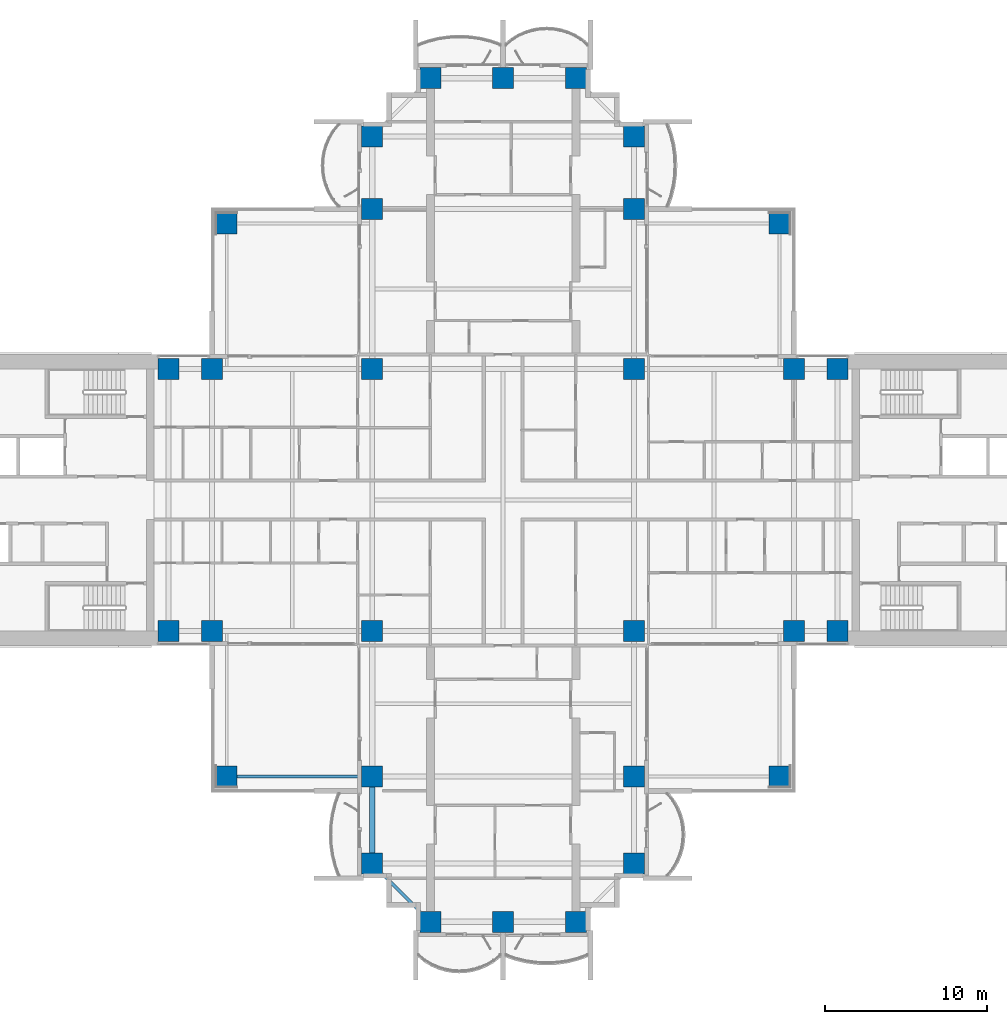
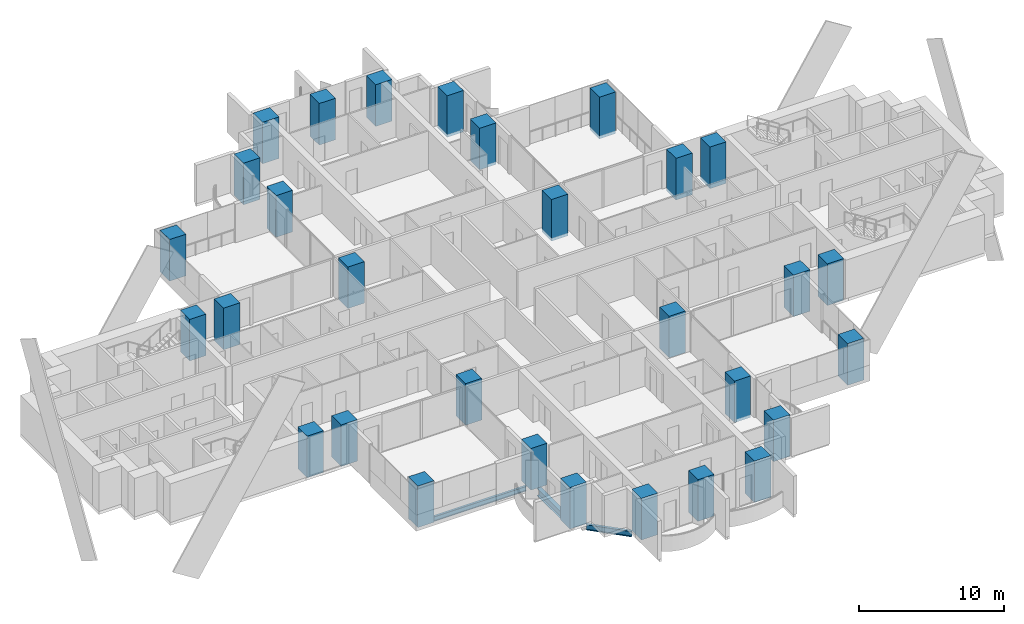
# One storey, part 1 of 21: 30 columns, 3 beams.
"""IFC4 building model written with IfcOpenShell, lengths in metres."""

from ifc_helpers import new_model, si_unit, direction, frame, origin, origin_2d, place, context, subcontext, project, spatial, rectangle, i_section, extrude, material, material_profile, profile_set, type_object, element, save


model = new_model("IFC4")

# Units and contexts
model_context = context("Model", 3, precision=1e-05, world=origin(), true_north=direction((0.0, 1.0)))
body_context = subcontext(model_context, "Body", "Model", "MODEL_VIEW")
ifc_project = project(units=[si_unit("LENGTHUNIT", "METRE"), si_unit("AREAUNIT", "SQUARE_METRE"), si_unit("VOLUMEUNIT", "CUBIC_METRE"), si_unit("PLANEANGLEUNIT", "RADIAN"), si_unit("MASSUNIT", "GRAM", prefix="KILO")], contexts=[model_context])

# Site, building, storey
site_placement = place(None, origin())
site = spatial("IfcSite", under=ifc_project, at=site_placement, CompositionType="ELEMENT")
building_placement = place(site_placement, origin())
building = spatial("IfcBuilding", under=site, at=building_placement, Name="Perihelion Cross Residences", CompositionType="ELEMENT")
storey_placement = place(building_placement, frame((0.0, 0.0, 75.0)))
storey = spatial("IfcBuildingStorey", under=building, at=storey_placement, Name="L16", CompositionType="ELEMENT", Elevation=75.0)

# Columns
ifc_material_1 = material(Name="Concrete C70/85", Category="concrete")
ifc_material_profile_1 = material_profile(ifc_material_1, rectangle(XDim=1.300048828125, YDim=1.300048828125, at=origin_2d()), Name="RC 1300x1300")
ifc_profile_set_1 = profile_set([ifc_material_profile_1], Name="Concrete C70/85")
column_type = type_object("IfcColumnType", Name="Reinforced concrete column 1300x1300 C70/85", PredefinedType="COLUMN", material=ifc_profile_set_1)
for number, where, z_axis, x_axis, name in (
    (1, (-20.699951171875, -8.10009765625, -0.25), (0.0, 0.0, 1.0), (1.0, 0.0, 0.0), "Column C017 L16 no. 1"),
    (2, (-20.699951171875, 8.10009765625, -0.25), (0.0, 0.0, 1.0), (1.0, 0.0, 0.0), "Column C010 L16 no. 1"),
    (3, (-18.0, -8.10009765625, -0.25), (0.0, 0.0, 1.0), (1.0, 0.0, 0.0), "Column C018 L16 no. 1"),
    (4, (-18.0, 8.10009765625, -0.25), (0.0, 0.0, 1.0), (1.0, 0.0, 0.0), "Column C011 L16 no. 1"),
    (5, (-8.10009765625, -22.5, -0.25), (0.0, 0.0, 1.0), (1.0, 0.0, 0.0), "Column C040 L16 no. 1"),
    (6, (-8.10009765625, -17.10009765625, -0.25), (0.0, 0.0, 1.0), (1.0, 0.0, 0.0), "Column C031 L16 no. 1"),
    (7, (-8.10009765625, -8.10009765625, -0.25), (0.0, 0.0, 1.0), (1.0, 0.0, 0.0), "Column C019 L16 no. 1"),
    (8, (-8.10009765625, 8.10009765625, -0.25), (0.0, 0.0, 1.0), (1.0, 0.0, 0.0), "Column C012 L16 no. 1"),
    (9, (-8.10009765625, 18.0, -0.25), (0.0, 0.0, 1.0), (1.0, 0.0, 0.0), "Column C006 L16 no. 1"),
    (10, (-8.10009765625, 22.5, -0.25), (0.0, 0.0, 1.0), (1.0, 0.0, 0.0), "Column C004 L16 no. 1"),
    (11, (-4.5, -26.10009765625, -0.25), (0.0, 0.0, 1.0), (1.0, 0.0, 0.0), "Column C042 L16 no. 1"),
    (12, (-4.5, 26.10009765625, -0.25), (0.0, 0.0, 1.0), (1.0, 0.0, 0.0), "Column C001 L16 no. 1"),
    (13, (0.0, -26.10009765625, -0.25), (0.0, 0.0, 1.0), (1.0, 0.0, 0.0), "Column C043 L16 no. 1"),
    (14, (0.0, 26.10009765625, -0.25), (0.0, 0.0, 1.0), (1.0, 0.0, 0.0), "Column C002 L16 no. 1"),
    (15, (4.5, -26.10009765625, -0.25), (0.0, 0.0, 1.0), (1.0, 0.0, 0.0), "Column C044 L16 no. 1"),
    (16, (4.5, 26.10009765625, -0.25), (0.0, 0.0, 1.0), (1.0, 0.0, 0.0), "Column C003 L16 no. 1"),
    (17, (8.10009765625, -22.5, -0.25), (0.0, 0.0, 1.0), (1.0, 0.0, 0.0), "Column C041 L16 no. 1"),
    (18, (8.10009765625, -17.10009765625, -0.25), (0.0, 0.0, 1.0), (1.0, 0.0, 0.0), "Column C035 L16 no. 1"),
    (19, (8.10009765625, -8.10009765625, -0.25), (0.0, 0.0, 1.0), (1.0, 0.0, 0.0), "Column C020 L16 no. 1"),
    (20, (8.10009765625, 8.10009765625, -0.25), (0.0, 0.0, 1.0), (1.0, 0.0, 0.0), "Column C014 L16 no. 1"),
    (21, (8.10009765625, 18.0, -0.25), (0.0, 0.0, 1.0), (1.0, 0.0, 0.0), "Column C007 L16 no. 1"),
    (22, (8.10009765625, 22.5, -0.25), (0.0, 0.0, 1.0), (1.0, 0.0, 0.0), "Column C005 L16 no. 1"),
    (23, (18.0, -8.10009765625, -0.25), (0.0, 0.0, 1.0), (1.0, 0.0, 0.0), "Column C021 L16 no. 1"),
    (24, (18.0, 8.10009765625, -0.25), (0.0, 0.0, 1.0), (1.0, 0.0, 0.0), "Column C015 L16 no. 1"),
    (25, (20.699951171875, -8.10009765625, -0.25), (0.0, 0.0, 1.0), (1.0, 0.0, 0.0), "Column C022 L16 no. 1"),
    (26, (20.699951171875, 8.10009765625, -0.25), (0.0, 0.0, 1.0), (1.0, 0.0, 0.0), "Column C016 L16 no. 1"),
    (27, (17.10009765625, 17.10009765625, -0.25), (0.0, 0.0, 1.0), (1.0, 0.0, 0.0), "Column C009 L16 no. 1"),
    (28, (-17.10009765625, 17.10009765625, -0.25), (0.0, 0.0, 1.0), (1.0, 0.0, 0.0), "Column C008 L16 no. 1"),
    (29, (-17.10009765625, -17.10009765625, -0.25), (0.0, 0.0, 1.0), (1.0, 0.0, 0.0), "Column C030 L16 no. 1"),
    (30, (17.10009765625, -17.10009765625, -0.25), (0.0, 0.0, 1.0), (1.0, 0.0, 0.0), "Column C036 L16 no. 1"),
):
    element("IfcColumn", number, at=place(storey_placement, frame(where, z_axis=z_axis, x_axis=x_axis)), inside=storey, type_object=column_type, Name=name, PredefinedType="COLUMN", context=body_context, shape_type="SweptSolid", body=[
        extrude(rectangle(XDim=1.300048828125, YDim=1.300048828125, at=origin_2d()), origin(), (0.0, 0.0, 1.0), 3.5),
    ])

# Beams
ifc_material_2 = material(Name="Steel S355", Category="steel")
ifc_material_profile_2 = material_profile(ifc_material_2, i_section(OverallWidth=0.177978515625, OverallDepth=0.406005859375, WebThickness=0.0078125, FlangeThickness=0.0126953125, at=origin_2d()), Name="W410x60")
ifc_profile_set_2 = profile_set([ifc_material_profile_2], Name="Steel S355")
beam_type_1 = type_object("IfcBeamType", Name="Core edge beam W410x60", PredefinedType="BEAM", material=ifc_profile_set_2)
beam_1_placement = place(storey_placement, frame((-8.75, -17.10009765625, -0.452880859375), z_axis=(-1.0, 0.0, 0.0), x_axis=(0.0, -1.0, 0.0)))
element("IfcBeam", 31, at=beam_1_placement, inside=storey, type_object=beam_type_1, Name="Core edge beam TB2 L16 corner no. 2", PredefinedType="BEAM", context=body_context, shape_type="SweptSolid", body=[
    extrude(i_section(OverallWidth=0.177978515625, OverallDepth=0.406005859375, WebThickness=0.0078125, FlangeThickness=0.0126953125, at=origin_2d()), origin(), (0.0, 0.0, 1.0), 7.699951171875),
])
ifc_material_3 = material(Name="Steel S355", Category="steel")
ifc_material_profile_3 = material_profile(ifc_material_3, i_section(OverallWidth=0.324951171875, OverallDepth=0.616943359375, WebThickness=0.013916015625, FlangeThickness=0.021484375, at=origin_2d()), Name="W610x174")
ifc_profile_set_3 = profile_set([ifc_material_profile_3], Name="Steel S355")
beam_type_2 = type_object("IfcBeamType", Name="Edge beam W610x174", PredefinedType="SPANDREL", material=ifc_profile_set_3)
beam_2_placement = place(storey_placement, frame((-8.10009765625, -17.75, -0.55859375), z_axis=(0.0, -1.0, 0.0), x_axis=(1.0, 0.0, 0.0)))
element("IfcBeam", 32, at=beam_2_placement, inside=storey, type_object=beam_type_2, Name="Edge beam SB2 L16 no. 5", PredefinedType="SPANDREL", context=body_context, shape_type="SweptSolid", body=[
    extrude(i_section(OverallWidth=0.324951171875, OverallDepth=0.616943359375, WebThickness=0.013916015625, FlangeThickness=0.021484375, at=origin_2d()), origin(), (0.0, 0.0, 1.0), 4.10009765625),
])
ifc_material_4 = material(Name="Steel S355", Category="steel")
ifc_material_profile_4 = material_profile(ifc_material_4, i_section(OverallWidth=0.194091796875, OverallDepth=0.469970703125, WebThickness=0.0126953125, FlangeThickness=0.0205078125, at=origin_2d()), Name="W460x106")
ifc_profile_set_4 = profile_set([ifc_material_profile_4], Name="Steel S355")
beam_type_3 = type_object("IfcBeamType", Name="Serration edge beam W460x106", PredefinedType="BEAM", material=ifc_profile_set_4)
beam_3_placement = place(storey_placement, frame((-7.449951171875, -23.14990234375, -0.485107421875), z_axis=(0.707106781187, -0.707106781187, 0.0), x_axis=(0.707106781187, 0.707106781187, 0.0)))
element("IfcBeam", 33, at=beam_3_placement, inside=storey, type_object=beam_type_3, Name="Serration edge beam EB2 L16 no. 2", PredefinedType="BEAM", context=body_context, shape_type="SweptSolid", body=[
    extrude(i_section(OverallWidth=0.194091796875, OverallDepth=0.469970703125, WebThickness=0.0126953125, FlangeThickness=0.0205078125, at=origin_2d()), origin(), (0.0, 0.0, 1.0), 3.252685546875),
])

save(model, "model.ifc")
